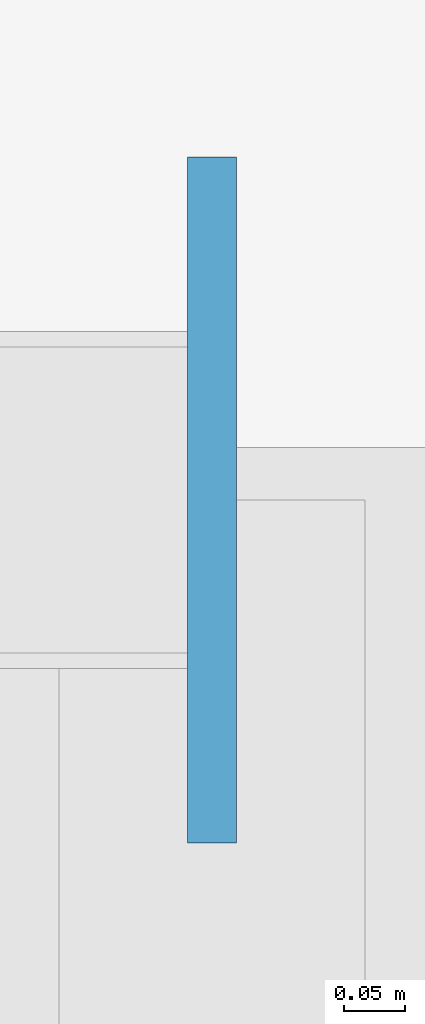
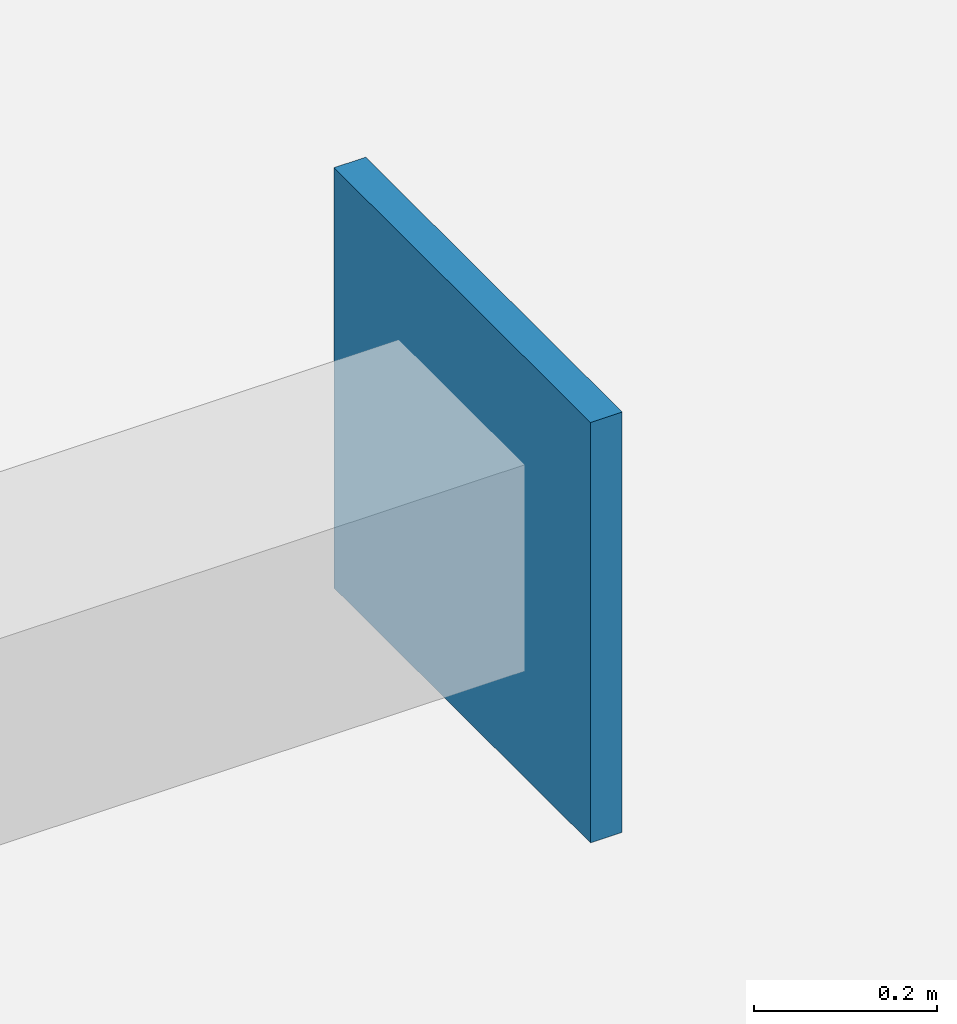
# One storey, part 49 of 56: 1 plate.
"""IFC4 building model written with IfcOpenShell, lengths in metres."""

from ifc_helpers import new_model, si_unit, direction, frame, origin, origin_2d, place, context, subcontext, project, spatial, rectangle, extrude, source, transform, mapped, material, layer, layer_set, type_object, element, save


model = new_model("IFC4")

# Units and contexts
model_context = context("Model", 3, precision=1e-05, world=origin(), true_north=direction((0.0, 1.0)))
body_context = subcontext(model_context, "Body", "Model", "MODEL_VIEW")
ifc_project = project(units=[si_unit("LENGTHUNIT", "METRE"), si_unit("AREAUNIT", "SQUARE_METRE"), si_unit("VOLUMEUNIT", "CUBIC_METRE"), si_unit("PLANEANGLEUNIT", "RADIAN"), si_unit("MASSUNIT", "GRAM", prefix="KILO")], contexts=[model_context])

# Site, building, storey
site_placement = place(None, origin())
site = spatial("IfcSite", under=ifc_project, at=site_placement, CompositionType="ELEMENT")
building_placement = place(site_placement, origin())
building = spatial("IfcBuilding", under=site, at=building_placement, Name="Taldren Reach Tower", CompositionType="ELEMENT")
storey_placement = place(building_placement, frame((0.0, 0.0, 16.800048828125)))
storey = spatial("IfcBuildingStorey", under=building, at=storey_placement, Name="L04", CompositionType="ELEMENT", Elevation=16.800048828125)

# Plate
ifc_material = material(Name="Steel Gr 450 (C450L0)", Category="steel")
ifc_layer = layer(ifc_material, 0.0400390625)
ifc_layer_set = layer_set([ifc_layer], Name="Steel Gr 450 (C450L0)")
plate_type = type_object("IfcPlateType", Name="PL-GUSSET-40", PredefinedType="SHEET", material=ifc_layer_set)
shared_shape = source(origin(), body_context, "Body", "SweptSolid", [
    extrude(rectangle(XDim=0.56005859375, YDim=0.0400390625, at=origin_2d()), origin(), (0.0, 0.0, 1.0), 0.56005859375),
])
plate_placement = place(storey_placement, frame((65.89990234375, 34.300048828125, 2.369873046875), z_axis=(0.0, 0.0, 1.0), x_axis=(0.0, 1.0, 0.0)))
element("IfcPlate", 1, at=plate_placement, inside=storey, type_object=plate_type, Name="Exoskeleton star-node gusset plate B1-E3 L04", PredefinedType="SHEET", context=body_context, shape_type="MappedRepresentation", body=[
    mapped(shared_shape, transform((0.0, 0.0, 0.0), scale=1.0)),
])

save(model, "model.ifc")
